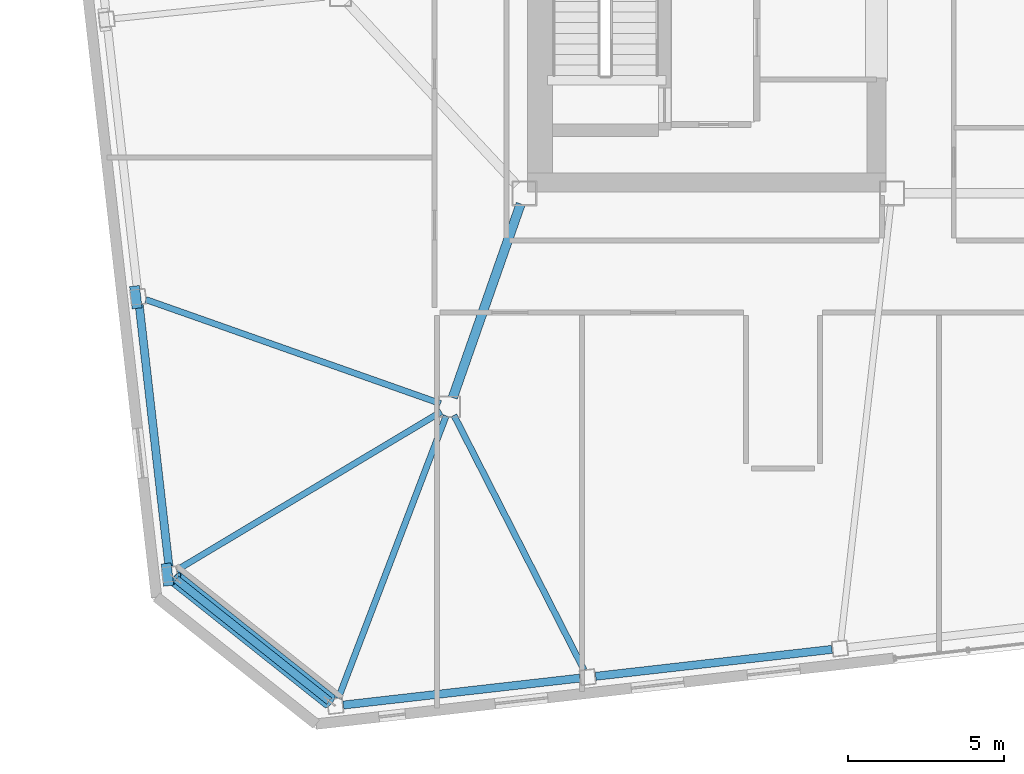
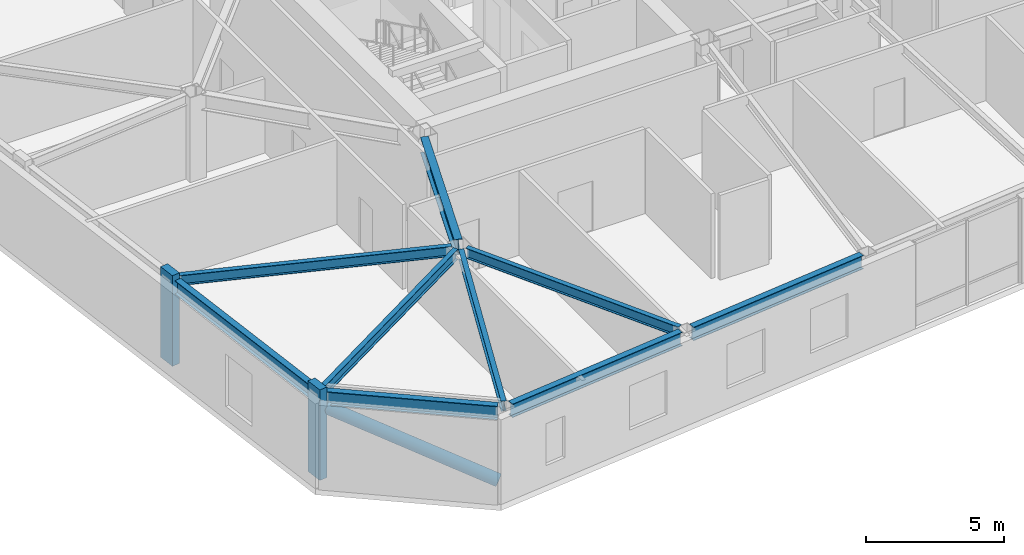
# One storey, part 3 of 20: 9 beams, 3 members.
"""IFC4 building model written with IfcOpenShell, lengths in metres."""

from ifc_helpers import new_model, si_unit, direction, frame, origin, origin_2d, place, context, subcontext, project, spatial, rectangle, hollow_circle, i_section, extrude, material, material_profile, profile_set, type_object, element, save


model = new_model("IFC4")

# Units and contexts
model_context = context("Model", 3, precision=1e-05, world=origin(), true_north=direction((0.0, 1.0)))
body_context = subcontext(model_context, "Body", "Model", "MODEL_VIEW")
ifc_project = project(units=[si_unit("LENGTHUNIT", "METRE"), si_unit("AREAUNIT", "SQUARE_METRE"), si_unit("VOLUMEUNIT", "CUBIC_METRE"), si_unit("PLANEANGLEUNIT", "RADIAN"), si_unit("MASSUNIT", "GRAM", prefix="KILO")], contexts=[model_context])

# Site, building, storey
site_placement = place(None, origin())
site = spatial("IfcSite", under=ifc_project, at=site_placement, CompositionType="ELEMENT")
building_placement = place(site_placement, origin())
building = spatial("IfcBuilding", under=site, at=building_placement, Name="Tavrogorsk Clinical Tower", CompositionType="ELEMENT")
storey_placement = place(building_placement, frame((0.0, 0.0, 251.0)))
storey = spatial("IfcBuildingStorey", under=building, at=storey_placement, Name="L58", CompositionType="ELEMENT", Elevation=251.0)

# Member
ifc_material_1 = material(Name="Structural steel S440", Category="steel")
ifc_material_profile_1 = material_profile(ifc_material_1, hollow_circle(Radius=0.25390625, WallThickness=0.02001953125, at=origin_2d()), Name="CHS-508x20")
ifc_profile_set_1 = profile_set([ifc_material_profile_1], Name="Structural steel S440")
member_type_1 = type_object("IfcMemberType", Name="ExoBrace_CHS508", PredefinedType="BRACE", material=ifc_profile_set_1)
member_placement = place(storey_placement, frame((-28.3515625, -22.654052734375, 0.398193359375), z_axis=(-0.723851679348, 0.575789482159, 0.380138420237), x_axis=(-0.622522488852, -0.782601910855, 0.0)))
element("IfcMember", 1, at=member_placement, inside=storey, type_object=member_type_1, Name="L58 Corner Exoskeleton Brace W5-S1", PredefinedType="BRACE", context=body_context, shape_type="SweptSolid", body=[
    extrude(hollow_circle(Radius=0.25390625, WallThickness=0.02001953125, at=origin_2d()), origin(), (0.0, 0.0, 1.0), 6.8232421875),
])

# Beams
ifc_material_2 = material(Name="Structural steel S355", Category="steel")
ifc_material_profile_2 = material_profile(ifc_material_2, i_section(OverallWidth=0.199951171875, OverallDepth=0.449951171875, WebThickness=0.011474609375, FlangeThickness=0.01806640625, at=origin_2d()), Name="B-450x200x11.5x18")
ifc_profile_set_2 = profile_set([ifc_material_profile_2], Name="Structural steel S355")
beam_type_1 = type_object("IfcBeamType", Name="FloorBeam_B450", PredefinedType="BEAM", material=ifc_profile_set_2)
beam_1_placement = place(storey_placement, frame((-24.610595703125, -13.489501953125, 3.514892578125), z_axis=(-0.356548354426, -0.93427687061, 0.0), x_axis=(0.93427687061, -0.356548354426, 0.0)))
element("IfcBeam", 2, at=beam_1_placement, inside=storey, type_object=beam_type_1, Name="L58 Radial Floor Beam S1", PredefinedType="BEAM", context=body_context, shape_type="SweptSolid", body=[
    extrude(i_section(OverallWidth=0.199951171875, OverallDepth=0.449951171875, WebThickness=0.011474609375, FlangeThickness=0.01806640625, at=origin_2d()), origin(), (0.0, 0.0, 1.0), 9.710205078125),
])
beam_2_placement = place(storey_placement, frame((-24.359130859375, -13.47607421875, 3.514892578125), z_axis=(0.454709818127, -0.890639647275, 0.0), x_axis=(0.890639647275, 0.454709818127, 0.0)))
element("IfcBeam", 3, at=beam_2_placement, inside=storey, type_object=beam_type_1, Name="L58 Radial Floor Beam S2", PredefinedType="BEAM", context=body_context, shape_type="SweptSolid", body=[
    extrude(i_section(OverallWidth=0.199951171875, OverallDepth=0.449951171875, WebThickness=0.011474609375, FlangeThickness=0.01806640625, at=origin_2d()), origin(), (0.0, 0.0, 1.0), 9.177978515625),
])
beam_3_placement = place(storey_placement, frame((-24.792236328125, -13.096923828125, 3.514892578125), z_axis=(-0.943014153926, 0.332752619067, 0.0), x_axis=(-0.332752619067, -0.943014153926, 0.0)))
element("IfcBeam", 4, at=beam_3_placement, inside=storey, type_object=beam_type_1, Name="L58 Radial Floor Beam W4", PredefinedType="BEAM", context=body_context, shape_type="SweptSolid", body=[
    extrude(i_section(OverallWidth=0.199951171875, OverallDepth=0.449951171875, WebThickness=0.011474609375, FlangeThickness=0.01806640625, at=origin_2d()), origin(), (0.0, 0.0, 1.0), 10.027587890625),
])
beam_4_placement = place(storey_placement, frame((-24.765869140625, -13.359375, 3.514892578125), z_axis=(-0.857906237315, -0.513806274754, 0.0), x_axis=(0.513806274754, -0.857906237315, 0.0)))
element("IfcBeam", 5, at=beam_4_placement, inside=storey, type_object=beam_type_1, Name="L58 Radial Floor Beam W5", PredefinedType="BEAM", context=body_context, shape_type="SweptSolid", body=[
    extrude(i_section(OverallWidth=0.199951171875, OverallDepth=0.449951171875, WebThickness=0.011474609375, FlangeThickness=0.01806640625, at=origin_2d()), origin(), (0.0, 0.0, 1.0), 9.896240234375),
])

# Members
ifc_material_3 = material(Name="Precast concrete B45 with limestone cladding", Category="masonry")
ifc_material_profile_3 = material_profile(ifc_material_3, rectangle(XDim=0.320068359375, YDim=0.719970703125, at=origin_2d()), Name="LIMESTONE-FIN-320x720")
ifc_profile_set_3 = profile_set([ifc_material_profile_3], Name="Precast concrete B45 with limestone cladding")
member_type_2 = type_object("IfcMemberType", Name="LimestonePleatFin_320x720", PredefinedType="USERDEFINED", material=ifc_profile_set_3)
for number, where, z_axis, x_axis, name in (
    (6, (-34.571044921875, -9.683349609375, 0.0), (0.0, 0.0, 1.0), (0.993571855677, 0.113203213768, 0.0), "L58 W Pleated Stone Fin 3"),
    (7, (-33.556640625, -18.585693359375, 0.0), (0.0, 0.0, 1.0), (0.993571855677, 0.113203213768, 0.0), "L58 W Pleated Stone Fin 4"),
):
    element("IfcMember", number, at=place(storey_placement, frame(where, z_axis=z_axis, x_axis=x_axis)), inside=storey, type_object=member_type_2, Name=name, ObjectType="FIN", PredefinedType="USERDEFINED", context=body_context, shape_type="SweptSolid", body=[
        extrude(rectangle(XDim=0.320068359375, YDim=0.719970703125, at=origin_2d()), origin(), (0.0, 0.0, 1.0), 4.0),
    ])

# Beams
ifc_material_4 = material(Name="Structural steel S390", Category="steel")
ifc_material_profile_4 = material_profile(ifc_material_4, i_section(OverallWidth=0.300048828125, OverallDepth=0.699951171875, WebThickness=0.01708984375, FlangeThickness=0.028076171875, at=origin_2d()), Name="B-700x300x17x28")
ifc_profile_set_4 = profile_set([ifc_material_profile_4], Name="Structural steel S390")
beam_type_2 = type_object("IfcBeamType", Name="PrimaryGirder_B700", PredefinedType="USERDEFINED", material=ifc_profile_set_4)
beam_5_placement = place(storey_placement, frame((-24.3974609375, -12.907470703125, 3.389892578125), z_axis=(0.330654121425, 0.943752007672, 0.0), x_axis=(-0.943752007672, 0.330654121425, 0.0)))
element("IfcBeam", 8, at=beam_5_placement, inside=storey, type_object=beam_type_2, Name="L58 Spine Link Girder OPG-1", ObjectType="GIRDER", PredefinedType="USERDEFINED", context=body_context, shape_type="SweptSolid", body=[
    extrude(i_section(OverallWidth=0.300048828125, OverallDepth=0.699951171875, WebThickness=0.01708984375, FlangeThickness=0.028076171875, at=origin_2d()), origin(), (0.0, 0.0, 1.0), 6.58837890625),
])
ifc_material_5 = material(Name="Structural steel S390", Category="steel")
ifc_material_profile_5 = material_profile(ifc_material_5, i_section(OverallWidth=0.260009765625, OverallDepth=0.60009765625, WebThickness=0.014892578125, FlangeThickness=0.02392578125, at=origin_2d()), Name="B-600x260x15x24")
ifc_profile_set_5 = profile_set([ifc_material_profile_5], Name="Structural steel S390")
beam_type_3 = type_object("IfcBeamType", Name="SpandrelBeam_B600", PredefinedType="SPANDREL", material=ifc_profile_set_5)
for number, where, z_axis, x_axis, name in (
    (9, (-27.908447265625, -22.773193359375, 3.43994140625), (0.993575697004, 0.113169493787, 0.0), (-0.113169493787, 0.993575697004, 0.0), "L58 Perimeter Spandrel S1-S2"),
    (10, (-19.812255859375, -21.850830078125, 3.43994140625), (0.993572099834, 0.113201070804, 0.0), (-0.113201070804, 0.993572099834, 0.0), "L58 Perimeter Spandrel S2-S3"),
):
    element("IfcBeam", number, at=place(storey_placement, frame(where, z_axis=z_axis, x_axis=x_axis)), inside=storey, type_object=beam_type_3, Name=name, PredefinedType="SPANDREL", context=body_context, shape_type="SweptSolid", body=[
        extrude(i_section(OverallWidth=0.260009765625, OverallDepth=0.60009765625, WebThickness=0.014892578125, FlangeThickness=0.02392578125, at=origin_2d()), origin(), (0.0, 0.0, 1.0), 7.632568359375),
    ])
beam_6_placement = place(storey_placement, frame((-34.46240234375, -9.9306640625, 3.43994140625), z_axis=(0.113223671813, -0.993569524563, 0.0), x_axis=(0.993569524563, 0.113223671813, 0.0)))
element("IfcBeam", 11, at=beam_6_placement, inside=storey, type_object=beam_type_3, Name="L58 Perimeter Spandrel W4-W5", PredefinedType="SPANDREL", context=body_context, shape_type="SweptSolid", body=[
    extrude(i_section(OverallWidth=0.260009765625, OverallDepth=0.60009765625, WebThickness=0.014892578125, FlangeThickness=0.02392578125, at=origin_2d()), origin(), (0.0, 0.0, 1.0), 8.44384765625),
])
beam_7_placement = place(storey_placement, frame((-33.275390625, -18.7373046875, 3.43994140625), z_axis=(0.782608811853, -0.622513813188, 0.0), x_axis=(0.622513813188, 0.782608811853, 0.0)))
element("IfcBeam", 12, at=beam_7_placement, inside=storey, type_object=beam_type_3, Name="L58 Perimeter Spandrel W5-S1", PredefinedType="SPANDREL", context=body_context, shape_type="SweptSolid", body=[
    extrude(i_section(OverallWidth=0.260009765625, OverallDepth=0.60009765625, WebThickness=0.014892578125, FlangeThickness=0.02392578125, at=origin_2d()), origin(), (0.0, 0.0, 1.0), 6.272216796875),
])

save(model, "model.ifc")
